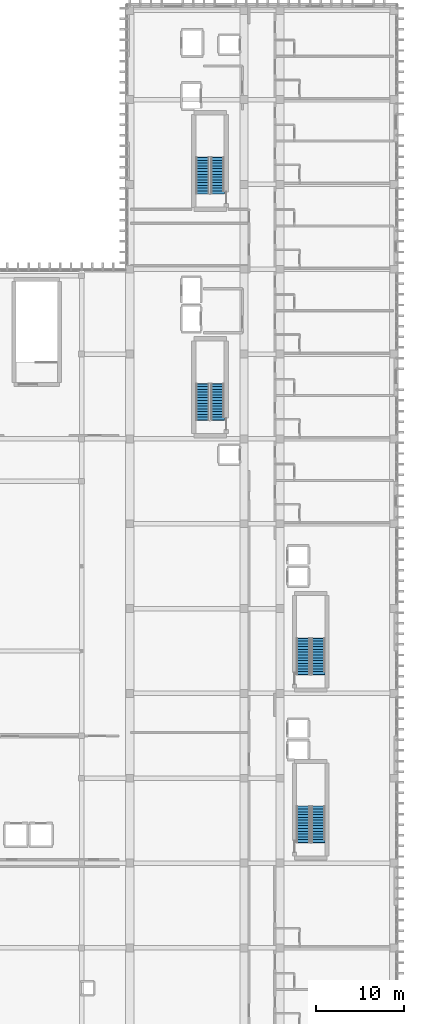
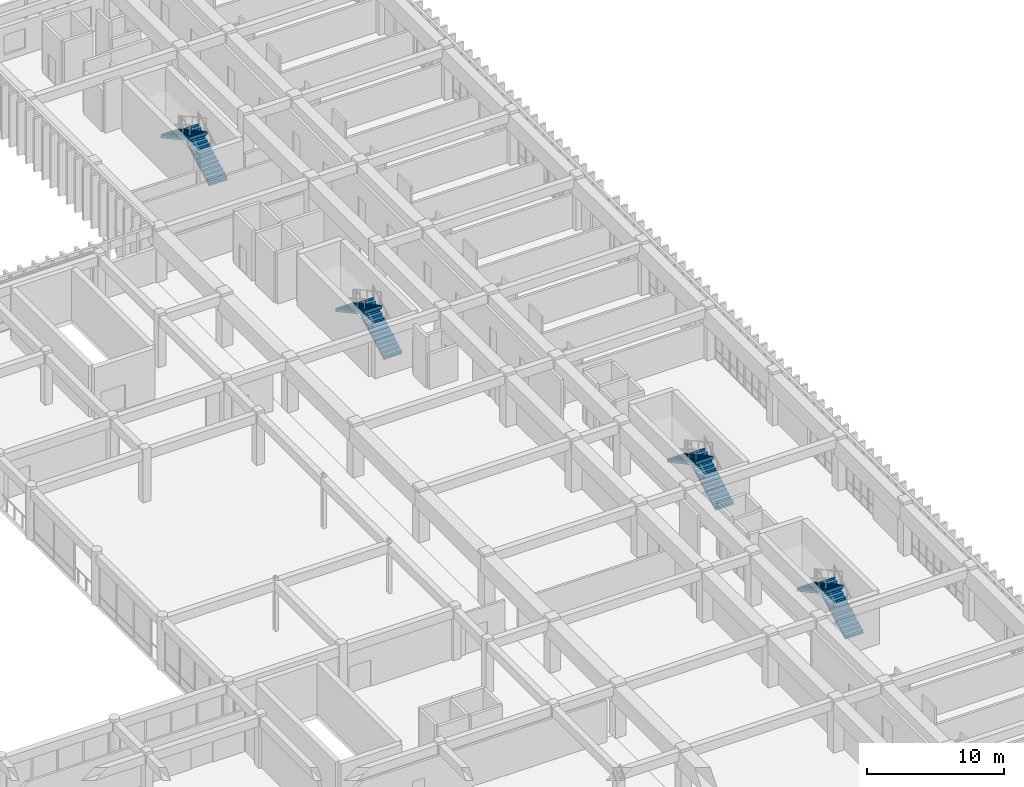
# One storey, part 83 of 101: 8 stair flights, 4 elements without a shape of their own.
"""IFC4 building model written with IfcOpenShell, lengths in metres."""

import ifcopenshell
import ifcopenshell.guid

model = None  # the IFC model being written
_history = None  # IfcOwnerHistory: only IFC2X3 demands one
_inside = {}  # id of a spatial element -> (the spatial element, [elements in it])
_under = {}  # id of a project, library or spatial element -> (it, [spatial elements below it])
_declared = {}  # id of a project -> (the project, [libraries it declares])
_typed = {}  # id of a type object -> (the type object, [elements of that type])
_made_of = {}  # id of a material, layer set ... -> (it, [elements and type objects made of it])


def new_model(schema):
    """Start an empty IFC model of exactly this schema.

    Asked for "IFC4X3", IfcOpenShell would pick the latest addendum, in which some entities
    have other attributes; the version numbers below select the first issue.
    IFC2X3 requires an IfcOwnerHistory on every rooted entity: one is made here for all.
    """
    global model, _history
    if schema == "IFC4X3":
        model = ifcopenshell.file(schema_version=(4, 3, 0, 0))
    else:
        model = ifcopenshell.file(schema=schema)
    _inside.clear()
    _under.clear()
    _declared.clear()
    _typed.clear()
    _made_of.clear()
    _history = None
    if model.schema == "IFC2X3":
        org = make("IfcOrganization", Name="unknown")
        user = make(
            "IfcPersonAndOrganization",
            ThePerson=make("IfcPerson", FamilyName="unknown"),
            TheOrganization=org,
        )
        app = make(
            "IfcApplication",
            ApplicationDeveloper=org,
            Version="unknown",
            ApplicationFullName="unknown",
            ApplicationIdentifier="unknown",
        )
        _history = make(
            "IfcOwnerHistory",
            OwningUser=user,
            OwningApplication=app,
            ChangeAction="ADDED",
            CreationDate=0,
        )
    return model


def make(cls, **values):
    """One entity of the class cls with the attributes given. An attribute that is None is left unset."""
    return model.create_entity(
        cls, **{name: value for name, value in values.items() if value is not None}
    )


def rooted(cls, **values):
    """An entity with a GlobalId (a new one), such as an element, a storey or a relation."""
    return make(cls, GlobalId=ifcopenshell.guid.new(), OwnerHistory=_history, **values)


def si_unit(unit_type, name, prefix=None):
    """IfcSIUnit, for example si_unit("LENGTHUNIT", "METRE", prefix="MILLI")."""
    return make("IfcSIUnit", UnitType=unit_type, Prefix=prefix, Name=name)


def assignment(units):
    """IfcUnitAssignment: the units of a project."""
    return None if units is None else make("IfcUnitAssignment", Units=units)


def point(xyz):
    """IfcCartesianPoint."""
    return None if xyz is None else make("IfcCartesianPoint", Coordinates=xyz)


def direction(xyz):
    """IfcDirection."""
    return None if xyz is None else make("IfcDirection", DirectionRatios=xyz)


def frame(location, z_axis=None, x_axis=None):
    """IfcAxis2Placement3D, a coordinate frame: its origin and axes. An axis left out is left unset."""
    return make(
        "IfcAxis2Placement3D",
        Location=point(location),
        Axis=direction(z_axis),
        RefDirection=direction(x_axis),
    )


def origin():
    """The frame at (0, 0, 0) with its axes left unset."""
    return frame((0.0, 0.0, 0.0))


def place(relative_to, where):
    """IfcLocalPlacement: puts the frame where relative to a parent placement (None: the world)."""
    return make(
        "IfcLocalPlacement", PlacementRelTo=relative_to, RelativePlacement=where
    )


def context(
    kind, dimensions, precision=None, world=None, true_north=None, identifier=None
):
    """IfcGeometricRepresentationContext, for example the 3D "Model" context."""
    return make(
        "IfcGeometricRepresentationContext",
        ContextIdentifier=identifier,
        ContextType=kind,
        CoordinateSpaceDimension=dimensions,
        Precision=precision,
        WorldCoordinateSystem=world,
        TrueNorth=true_north,
    )


def subcontext(parent, identifier, kind, view, scale=None):
    """IfcGeometricRepresentationSubContext, for example "Body" below "Model"."""
    return make(
        "IfcGeometricRepresentationSubContext",
        ContextIdentifier=identifier,
        ContextType=kind,
        ParentContext=parent,
        TargetScale=scale,
        TargetView=view,
    )


def project(units=None, contexts=None):
    """IfcProject with its units and contexts."""
    return rooted(
        "IfcProject",
        Name="project",
        RepresentationContexts=contexts,
        UnitsInContext=assignment(units),
    )


def spatial(cls, under=None, at=None, **own):
    """A site, building, storey or space (cls), placed at a placement, below another one or the project."""
    s = rooted(cls, ObjectPlacement=at, **own)
    if under is not None:
        _under.setdefault(under.id(), (under, []))[1].append(s)
    return s


def polyline(points):
    """IfcPolyline through the points."""
    return make("IfcPolyline", Points=[point(p) for p in points])


def outline(outer, holes=None, kind="AREA"):
    """IfcArbitraryClosedProfileDef: a profile drawn as a closed curve; with holes, ...WithVoids."""
    if holes is None:
        return make("IfcArbitraryClosedProfileDef", ProfileType=kind, OuterCurve=outer)
    return make(
        "IfcArbitraryProfileDefWithVoids",
        ProfileType=kind,
        OuterCurve=outer,
        InnerCurves=holes,
    )


def extrude(swept, where, along, depth):
    """IfcExtrudedAreaSolid: the profile swept, set in the frame where, extruded along a direction by depth."""
    return make(
        "IfcExtrudedAreaSolid",
        SweptArea=swept,
        Position=where,
        ExtrudedDirection=direction(along),
        Depth=depth,
    )


def shape(context_of_items, identifier, shape_type, items):
    """IfcShapeRepresentation: the items that make up one representation, for example the "Body"."""
    return make(
        "IfcShapeRepresentation",
        ContextOfItems=context_of_items,
        RepresentationIdentifier=identifier,
        RepresentationType=shape_type,
        Items=items,
    )


def material(Name=None, Category=None):
    """IfcMaterial."""
    return make("IfcMaterial", Name=Name, Category=Category)


def layer(
    of_material, thickness, ventilated=None, Name=None, Category=None, Priority=None
):
    """IfcMaterialLayer: one layer of a wall or slab, of a material (None: an air gap)."""
    return make(
        "IfcMaterialLayer",
        Material=of_material,
        LayerThickness=thickness,
        IsVentilated=ventilated,
        Name=Name,
        Category=Category,
        Priority=Priority,
    )


def layer_set(layers, Name=None):
    """IfcMaterialLayerSet."""
    return make("IfcMaterialLayerSet", MaterialLayers=layers, LayerSetName=Name)


def made_of(thing, what):
    """Note that an element or type object is made of a material, layer set ...; save() writes the relation."""
    if what is not None:
        _made_of.setdefault(what.id(), (what, []))[1].append(thing)
    return thing


def type_object(cls, material=None, **own):
    """A type object (cls), such as IfcWallType, which elements share."""
    return made_of(rooted(cls, **own), material)


def element(
    cls,
    number,
    at=None,
    inside=None,
    cuts=None,
    type_object=None,
    material=None,
    context=None,
    identifier="Body",
    shape_type=None,
    held_by="IfcProductDefinitionShape",
    body=None,
    shapes=None,
    **own,
):
    """One element of the class cls, such as IfcWall. Its Tag is "e" and its number.

    at: its placement. inside: the storey or other place that contains it. cuts: it is an
    opening in that element (IfcRelVoidsElement). A single representation is given by context,
    identifier, shape_type and body (its items); several are given by shapes. held_by: the class
    of the entity that holds the representations. save() writes the other relations.
    """
    e = rooted(cls, Tag="e%d" % number, ObjectPlacement=at, **own)
    if body is not None:
        shapes = [shape(context, identifier, shape_type, body)]
    if shapes is not None:
        e.Representation = make(held_by, Representations=shapes)
    if inside is not None:
        _inside.setdefault(inside.id(), (inside, []))[1].append(e)
    if cuts is not None:
        rooted(
            "IfcRelVoidsElement", RelatingBuildingElement=cuts, RelatedOpeningElement=e
        )
    if type_object is not None:
        _typed.setdefault(type_object.id(), (type_object, []))[1].append(e)
    return made_of(e, material)


def aggregate(whole, parts):
    """IfcRelAggregates: a whole, such as a stair, and the parts it consists of."""
    return rooted("IfcRelAggregates", RelatingObject=whole, RelatedObjects=parts)


def save(model, path):
    """Write the relations noted so far, then the file.

    IfcRelAggregates (storeys below a building ...), IfcRelContainedInSpatialStructure (elements
    in a storey), IfcRelDefinesByType, IfcRelAssociatesMaterial and IfcRelDeclares: one each for
    every whole, place, type object, material and project.
    """
    for whole, parts in _under.values():
        aggregate(whole, parts)
    for where, things in _inside.values():
        rooted(
            "IfcRelContainedInSpatialStructure",
            RelatedElements=things,
            RelatingStructure=where,
        )
    for kind, things in _typed.values():
        rooted("IfcRelDefinesByType", RelatedObjects=things, RelatingType=kind)
    for what, things in _made_of.values():
        rooted("IfcRelAssociatesMaterial", RelatedObjects=things, RelatingMaterial=what)
    for by, libraries in _declared.values():
        rooted("IfcRelDeclares", RelatingContext=by, RelatedDefinitions=libraries)
    model.write(path)


model = new_model("IFC4")

# Units and contexts
model_context = context("Model", 3, precision=1e-05, world=origin(), true_north=direction((0.0, 1.0)))
body_context = subcontext(model_context, "Body", "Model", "MODEL_VIEW")
ifc_project = project(units=[si_unit("LENGTHUNIT", "METRE"), si_unit("AREAUNIT", "SQUARE_METRE"), si_unit("VOLUMEUNIT", "CUBIC_METRE"), si_unit("PLANEANGLEUNIT", "RADIAN"), si_unit("MASSUNIT", "GRAM", prefix="KILO")], contexts=[model_context])

# Site, building, storey
site_placement = place(None, origin())
site = spatial("IfcSite", under=ifc_project, at=site_placement, CompositionType="ELEMENT")
building_placement = place(site_placement, origin())
building = spatial("IfcBuilding", under=site, at=building_placement, Name="Nakhvara Creek Congress Hotel", CompositionType="ELEMENT")
storey_placement = place(building_placement, frame((0.0, 0.0, 16.199951171875)))
storey = spatial("IfcBuildingStorey", under=building, at=storey_placement, Name="L03", CompositionType="ELEMENT", Elevation=16.199951171875)

# Stair, stair flights
ifc_material = material(Name="Concrete C40/50", Category="concrete")
stair_type = type_object("IfcStairType", Name="ST-CORE-160", PredefinedType="HALF_TURN_STAIR", material=ifc_material)
stair_1_placement = place(storey_placement, origin())
stair_1 = element("IfcStair", 1, at=stair_1_placement, inside=storey, type_object=stair_type, Name="L03 Protected Exit Stair ST01", PredefinedType="HALF_TURN_STAIR")
ifc_layer = layer(ifc_material, 0.18994140625)
ifc_layer_set = layer_set([ifc_layer], Name="Concrete C40/50")
stair_flight_type = type_object("IfcStairFlightType", Name="SFL-RC-160", PredefinedType="STRAIGHT", material=ifc_layer_set)
stair_flight_1_placement = place(storey_placement, frame((159.3798828125, 78.93994140625, 0.0), z_axis=(0.0, 0.0, 1.0), x_axis=(0.0, 1.0, 0.0)))
stair_flight_1 = element("IfcStairFlight", 2, at=stair_flight_1_placement, type_object=stair_flight_type, Name="ST01 flight 1", NumberOfRisers=14, NumberOfTreads=13, PredefinedType="STRAIGHT", RiserHeight=0.171428571, TreadLength=0.315, context=body_context, shape_type="SweptSolid", body=[
    extrude(outline(polyline([(-0.048095703125, 0.0), (0.0, 0.0), (0.0, 0.17138671875), (0.31494140625, 0.17138671875), (0.31494140625, 0.3427734375), (0.6298828125, 0.3427734375), (0.6298828125, 0.514404296875), (0.945068359375, 0.514404296875), (0.945068359375, 0.685791015625), (1.260009765625, 0.685791015625), (1.260009765625, 0.857177734375), (1.574951171875, 0.857177734375), (1.574951171875, 1.028564453125), (1.889892578125, 1.028564453125), (1.889892578125, 1.199951171875), (2.205078125, 1.199951171875), (2.205078125, 1.371337890625), (2.52001953125, 1.371337890625), (2.52001953125, 1.54296875), (2.8349609375, 1.54296875), (2.8349609375, 1.71435546875), (3.14990234375, 1.71435546875), (3.14990234375, 1.8857421875), (3.465087890625, 1.8857421875), (3.465087890625, 2.05712890625), (3.780029296875, 2.05712890625), (3.780029296875, 2.228515625), (4.094970703125, 2.228515625), (4.094970703125, 2.39990234375), (4.14306640625, 2.39990234375), (4.14306640625, 2.25), (4.094970703125, 2.057861328125), (0.0380859375, -0.14990234375), (-0.048095703125, -0.14990234375), (-0.048095703125, 0.0)])), frame((0.0, 0.77001953125, 0.0), z_axis=(0.0, -1.0, 0.0), x_axis=(1.0, 0.0, 0.0)), (0.0, 0.0, 1.0), 1.5400390625),
])
stair_flight_2_placement = place(storey_placement, frame((157.68994140625, 83.034912109375, 2.400146484375), z_axis=(0.0, 0.0, 1.0), x_axis=(0.0, -1.0, 0.0)))
stair_flight_2 = element("IfcStairFlight", 3, at=stair_flight_2_placement, type_object=stair_flight_type, Name="ST01 flight 2", NumberOfRisers=14, NumberOfTreads=13, PredefinedType="STRAIGHT", RiserHeight=0.171428571, TreadLength=0.315, context=body_context, shape_type="SweptSolid", body=[
    extrude(outline(polyline([(-0.048095703125, 0.0), (0.0, 0.0), (0.0, 0.17138671875), (0.31494140625, 0.17138671875), (0.31494140625, 0.3427734375), (0.6298828125, 0.3427734375), (0.6298828125, 0.514404296875), (0.945068359375, 0.514404296875), (0.945068359375, 0.685791015625), (1.260009765625, 0.685791015625), (1.260009765625, 0.857177734375), (1.574951171875, 0.857177734375), (1.574951171875, 1.028564453125), (1.889892578125, 1.028564453125), (1.889892578125, 1.199951171875), (2.205078125, 1.199951171875), (2.205078125, 1.371337890625), (2.52001953125, 1.371337890625), (2.52001953125, 1.54296875), (2.8349609375, 1.54296875), (2.8349609375, 1.71435546875), (3.14990234375, 1.71435546875), (3.14990234375, 1.8857421875), (3.465087890625, 1.8857421875), (3.465087890625, 2.05712890625), (3.780029296875, 2.05712890625), (3.780029296875, 2.228515625), (4.094970703125, 2.228515625), (4.094970703125, 2.39990234375), (4.14306640625, 2.39990234375), (4.14306640625, 2.25), (4.094970703125, 2.057861328125), (0.0380859375, -0.14990234375), (-0.048095703125, -0.14990234375), (-0.048095703125, 0.0)])), frame((0.0, 0.77001953125, 0.0), z_axis=(0.0, -1.0, 0.0), x_axis=(1.0, 0.0, 0.0)), (0.0, 0.0, 1.0), 1.5400390625),
])
aggregate(stair_1, [stair_flight_1, stair_flight_2])

stair_2_placement = place(storey_placement, origin())
stair_2 = element("IfcStair", 4, at=stair_2_placement, inside=storey, type_object=stair_type, Name="L03 Protected Exit Stair ST02", PredefinedType="HALF_TURN_STAIR")
stair_flight_3_placement = place(storey_placement, frame((159.3798828125, 104.5400390625, 0.0), z_axis=(0.0, 0.0, 1.0), x_axis=(0.0, 1.0, 0.0)))
stair_flight_3 = element("IfcStairFlight", 5, at=stair_flight_3_placement, type_object=stair_flight_type, Name="ST02 flight 1", NumberOfRisers=14, NumberOfTreads=13, PredefinedType="STRAIGHT", RiserHeight=0.171428571, TreadLength=0.315, context=body_context, shape_type="SweptSolid", body=[
    extrude(outline(polyline([(-0.048095703125, 0.0), (0.0, 0.0), (0.0, 0.17138671875), (0.31494140625, 0.17138671875), (0.31494140625, 0.3427734375), (0.6298828125, 0.3427734375), (0.6298828125, 0.514404296875), (0.945068359375, 0.514404296875), (0.945068359375, 0.685791015625), (1.260009765625, 0.685791015625), (1.260009765625, 0.857177734375), (1.574951171875, 0.857177734375), (1.574951171875, 1.028564453125), (1.889892578125, 1.028564453125), (1.889892578125, 1.199951171875), (2.205078125, 1.199951171875), (2.205078125, 1.371337890625), (2.52001953125, 1.371337890625), (2.52001953125, 1.54296875), (2.8349609375, 1.54296875), (2.8349609375, 1.71435546875), (3.14990234375, 1.71435546875), (3.14990234375, 1.8857421875), (3.465087890625, 1.8857421875), (3.465087890625, 2.05712890625), (3.780029296875, 2.05712890625), (3.780029296875, 2.228515625), (4.094970703125, 2.228515625), (4.094970703125, 2.39990234375), (4.14306640625, 2.39990234375), (4.14306640625, 2.25), (4.094970703125, 2.057861328125), (0.0380859375, -0.14990234375), (-0.048095703125, -0.14990234375), (-0.048095703125, 0.0)])), frame((0.0, 0.77001953125, 0.0), z_axis=(0.0, -1.0, 0.0), x_axis=(1.0, 0.0, 0.0)), (0.0, 0.0, 1.0), 1.5400390625),
])
stair_flight_4_placement = place(storey_placement, frame((157.68994140625, 108.635009765625, 2.400146484375), z_axis=(0.0, 0.0, 1.0), x_axis=(0.0, -1.0, 0.0)))
stair_flight_4 = element("IfcStairFlight", 6, at=stair_flight_4_placement, type_object=stair_flight_type, Name="ST02 flight 2", NumberOfRisers=14, NumberOfTreads=13, PredefinedType="STRAIGHT", RiserHeight=0.171428571, TreadLength=0.315, context=body_context, shape_type="SweptSolid", body=[
    extrude(outline(polyline([(-0.048095703125, 0.0), (0.0, 0.0), (0.0, 0.17138671875), (0.31494140625, 0.17138671875), (0.31494140625, 0.3427734375), (0.6298828125, 0.3427734375), (0.6298828125, 0.514404296875), (0.945068359375, 0.514404296875), (0.945068359375, 0.685791015625), (1.260009765625, 0.685791015625), (1.260009765625, 0.857177734375), (1.574951171875, 0.857177734375), (1.574951171875, 1.028564453125), (1.889892578125, 1.028564453125), (1.889892578125, 1.199951171875), (2.205078125, 1.199951171875), (2.205078125, 1.371337890625), (2.52001953125, 1.371337890625), (2.52001953125, 1.54296875), (2.8349609375, 1.54296875), (2.8349609375, 1.71435546875), (3.14990234375, 1.71435546875), (3.14990234375, 1.8857421875), (3.465087890625, 1.8857421875), (3.465087890625, 2.05712890625), (3.780029296875, 2.05712890625), (3.780029296875, 2.228515625), (4.094970703125, 2.228515625), (4.094970703125, 2.39990234375), (4.14306640625, 2.39990234375), (4.14306640625, 2.25), (4.094970703125, 2.057861328125), (0.0380859375, -0.14990234375), (-0.048095703125, -0.14990234375), (-0.048095703125, 0.0)])), frame((0.0, 0.77001953125, 0.0), z_axis=(0.0, -1.0, 0.0), x_axis=(1.0, 0.0, 0.0)), (0.0, 0.0, 1.0), 1.5400390625),
])
aggregate(stair_2, [stair_flight_3, stair_flight_4])

stair_3_placement = place(storey_placement, origin())
stair_3 = element("IfcStair", 7, at=stair_3_placement, inside=storey, type_object=stair_type, Name="L03 Protected Exit Stair ST03", PredefinedType="HALF_TURN_STAIR")
stair_flight_5_placement = place(storey_placement, frame((170.780029296875, 31.139892578125, 0.0), z_axis=(0.0, 0.0, 1.0), x_axis=(0.0, 1.0, 0.0)))
stair_flight_5 = element("IfcStairFlight", 8, at=stair_flight_5_placement, type_object=stair_flight_type, Name="ST03 flight 1", NumberOfRisers=14, NumberOfTreads=13, PredefinedType="STRAIGHT", RiserHeight=0.171428571, TreadLength=0.315, context=body_context, shape_type="SweptSolid", body=[
    extrude(outline(polyline([(-0.048095703125, 0.0), (0.0, 0.0), (0.0, 0.17138671875), (0.31494140625, 0.17138671875), (0.31494140625, 0.3427734375), (0.6298828125, 0.3427734375), (0.6298828125, 0.514404296875), (0.945068359375, 0.514404296875), (0.945068359375, 0.685791015625), (1.260009765625, 0.685791015625), (1.260009765625, 0.857177734375), (1.574951171875, 0.857177734375), (1.574951171875, 1.028564453125), (1.889892578125, 1.028564453125), (1.889892578125, 1.199951171875), (2.205078125, 1.199951171875), (2.205078125, 1.371337890625), (2.52001953125, 1.371337890625), (2.52001953125, 1.54296875), (2.8349609375, 1.54296875), (2.8349609375, 1.71435546875), (3.14990234375, 1.71435546875), (3.14990234375, 1.8857421875), (3.465087890625, 1.8857421875), (3.465087890625, 2.05712890625), (3.780029296875, 2.05712890625), (3.780029296875, 2.228515625), (4.094970703125, 2.228515625), (4.094970703125, 2.39990234375), (4.14306640625, 2.39990234375), (4.14306640625, 2.25), (4.094970703125, 2.057861328125), (0.0380859375, -0.14990234375), (-0.048095703125, -0.14990234375), (-0.048095703125, 0.0)])), frame((0.0, 0.77001953125, 0.0), z_axis=(0.0, -1.0, 0.0), x_axis=(1.0, 0.0, 0.0)), (0.0, 0.0, 1.0), 1.5400390625),
])
stair_flight_6_placement = place(storey_placement, frame((169.090087890625, 35.235107421875, 2.400146484375), z_axis=(0.0, 0.0, 1.0), x_axis=(0.0, -1.0, 0.0)))
stair_flight_6 = element("IfcStairFlight", 9, at=stair_flight_6_placement, type_object=stair_flight_type, Name="ST03 flight 2", NumberOfRisers=14, NumberOfTreads=13, PredefinedType="STRAIGHT", RiserHeight=0.171428571, TreadLength=0.315, context=body_context, shape_type="SweptSolid", body=[
    extrude(outline(polyline([(-0.048095703125, 0.0), (0.0, 0.0), (0.0, 0.17138671875), (0.31494140625, 0.17138671875), (0.31494140625, 0.3427734375), (0.6298828125, 0.3427734375), (0.6298828125, 0.514404296875), (0.945068359375, 0.514404296875), (0.945068359375, 0.685791015625), (1.260009765625, 0.685791015625), (1.260009765625, 0.857177734375), (1.574951171875, 0.857177734375), (1.574951171875, 1.028564453125), (1.889892578125, 1.028564453125), (1.889892578125, 1.199951171875), (2.205078125, 1.199951171875), (2.205078125, 1.371337890625), (2.52001953125, 1.371337890625), (2.52001953125, 1.54296875), (2.8349609375, 1.54296875), (2.8349609375, 1.71435546875), (3.14990234375, 1.71435546875), (3.14990234375, 1.8857421875), (3.465087890625, 1.8857421875), (3.465087890625, 2.05712890625), (3.780029296875, 2.05712890625), (3.780029296875, 2.228515625), (4.094970703125, 2.228515625), (4.094970703125, 2.39990234375), (4.14306640625, 2.39990234375), (4.14306640625, 2.25), (4.094970703125, 2.057861328125), (0.0380859375, -0.14990234375), (-0.048095703125, -0.14990234375), (-0.048095703125, 0.0)])), frame((0.0, 0.77001953125, 0.0), z_axis=(0.0, -1.0, 0.0), x_axis=(1.0, 0.0, 0.0)), (0.0, 0.0, 1.0), 1.5400390625),
])
aggregate(stair_3, [stair_flight_5, stair_flight_6])

stair_4_placement = place(storey_placement, origin())
stair_4 = element("IfcStair", 10, at=stair_4_placement, inside=storey, type_object=stair_type, Name="L03 Protected Exit Stair ST04", PredefinedType="HALF_TURN_STAIR")
stair_flight_7_placement = place(storey_placement, frame((170.780029296875, 50.139892578125, 0.0), z_axis=(0.0, 0.0, 1.0), x_axis=(0.0, 1.0, 0.0)))
stair_flight_7 = element("IfcStairFlight", 11, at=stair_flight_7_placement, type_object=stair_flight_type, Name="ST04 flight 1", NumberOfRisers=14, NumberOfTreads=13, PredefinedType="STRAIGHT", RiserHeight=0.171428571, TreadLength=0.315, context=body_context, shape_type="SweptSolid", body=[
    extrude(outline(polyline([(-0.048095703125, 0.0), (0.0, 0.0), (0.0, 0.17138671875), (0.31494140625, 0.17138671875), (0.31494140625, 0.3427734375), (0.6298828125, 0.3427734375), (0.6298828125, 0.514404296875), (0.945068359375, 0.514404296875), (0.945068359375, 0.685791015625), (1.260009765625, 0.685791015625), (1.260009765625, 0.857177734375), (1.574951171875, 0.857177734375), (1.574951171875, 1.028564453125), (1.889892578125, 1.028564453125), (1.889892578125, 1.199951171875), (2.205078125, 1.199951171875), (2.205078125, 1.371337890625), (2.52001953125, 1.371337890625), (2.52001953125, 1.54296875), (2.8349609375, 1.54296875), (2.8349609375, 1.71435546875), (3.14990234375, 1.71435546875), (3.14990234375, 1.8857421875), (3.465087890625, 1.8857421875), (3.465087890625, 2.05712890625), (3.780029296875, 2.05712890625), (3.780029296875, 2.228515625), (4.094970703125, 2.228515625), (4.094970703125, 2.39990234375), (4.14306640625, 2.39990234375), (4.14306640625, 2.25), (4.094970703125, 2.057861328125), (0.0380859375, -0.14990234375), (-0.048095703125, -0.14990234375), (-0.048095703125, 0.0)])), frame((0.0, 0.77001953125, 0.0), z_axis=(0.0, -1.0, 0.0), x_axis=(1.0, 0.0, 0.0)), (0.0, 0.0, 1.0), 1.5400390625),
])
stair_flight_8_placement = place(storey_placement, frame((169.090087890625, 54.235107421875, 2.400146484375), z_axis=(0.0, 0.0, 1.0), x_axis=(0.0, -1.0, 0.0)))
stair_flight_8 = element("IfcStairFlight", 12, at=stair_flight_8_placement, type_object=stair_flight_type, Name="ST04 flight 2", NumberOfRisers=14, NumberOfTreads=13, PredefinedType="STRAIGHT", RiserHeight=0.171428571, TreadLength=0.315, context=body_context, shape_type="SweptSolid", body=[
    extrude(outline(polyline([(-0.048095703125, 0.0), (0.0, 0.0), (0.0, 0.17138671875), (0.31494140625, 0.17138671875), (0.31494140625, 0.3427734375), (0.6298828125, 0.3427734375), (0.6298828125, 0.514404296875), (0.945068359375, 0.514404296875), (0.945068359375, 0.685791015625), (1.260009765625, 0.685791015625), (1.260009765625, 0.857177734375), (1.574951171875, 0.857177734375), (1.574951171875, 1.028564453125), (1.889892578125, 1.028564453125), (1.889892578125, 1.199951171875), (2.205078125, 1.199951171875), (2.205078125, 1.371337890625), (2.52001953125, 1.371337890625), (2.52001953125, 1.54296875), (2.8349609375, 1.54296875), (2.8349609375, 1.71435546875), (3.14990234375, 1.71435546875), (3.14990234375, 1.8857421875), (3.465087890625, 1.8857421875), (3.465087890625, 2.05712890625), (3.780029296875, 2.05712890625), (3.780029296875, 2.228515625), (4.094970703125, 2.228515625), (4.094970703125, 2.39990234375), (4.14306640625, 2.39990234375), (4.14306640625, 2.25), (4.094970703125, 2.057861328125), (0.0380859375, -0.14990234375), (-0.048095703125, -0.14990234375), (-0.048095703125, 0.0)])), frame((0.0, 0.77001953125, 0.0), z_axis=(0.0, -1.0, 0.0), x_axis=(1.0, 0.0, 0.0)), (0.0, 0.0, 1.0), 1.5400390625),
])
aggregate(stair_4, [stair_flight_7, stair_flight_8])

save(model, "model.ifc")
